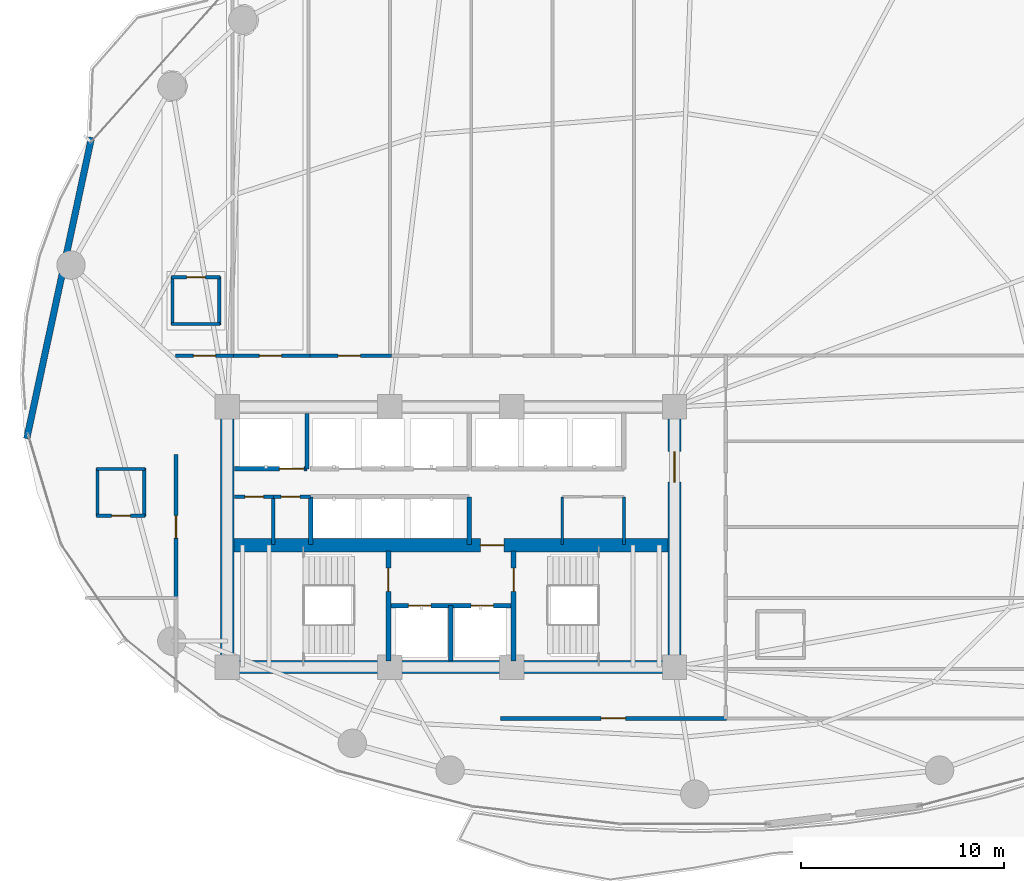
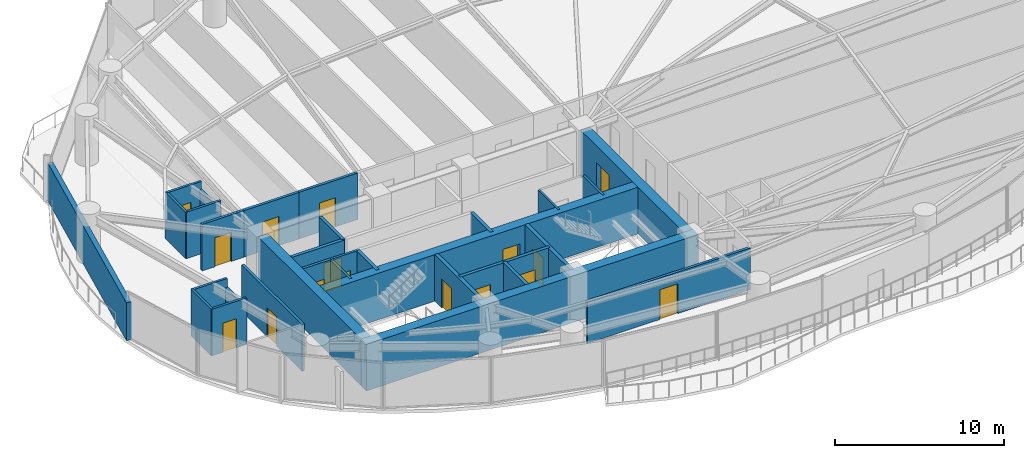
# One storey, part 26 of 31: 31 walls, 16 doors, 16 openings.
"""IFC4 building model written with IfcOpenShell, lengths in metres."""

import ifcopenshell
import ifcopenshell.guid

model = None  # the IFC model being written
_history = None  # IfcOwnerHistory: only IFC2X3 demands one
_inside = {}  # id of a spatial element -> (the spatial element, [elements in it])
_under = {}  # id of a project, library or spatial element -> (it, [spatial elements below it])
_declared = {}  # id of a project -> (the project, [libraries it declares])
_typed = {}  # id of a type object -> (the type object, [elements of that type])
_made_of = {}  # id of a material, layer set ... -> (it, [elements and type objects made of it])


def new_model(schema):
    """Start an empty IFC model of exactly this schema.

    Asked for "IFC4X3", IfcOpenShell would pick the latest addendum, in which some entities
    have other attributes; the version numbers below select the first issue.
    IFC2X3 requires an IfcOwnerHistory on every rooted entity: one is made here for all.
    """
    global model, _history
    if schema == "IFC4X3":
        model = ifcopenshell.file(schema_version=(4, 3, 0, 0))
    else:
        model = ifcopenshell.file(schema=schema)
    _inside.clear()
    _under.clear()
    _declared.clear()
    _typed.clear()
    _made_of.clear()
    _history = None
    if model.schema == "IFC2X3":
        org = make("IfcOrganization", Name="unknown")
        user = make(
            "IfcPersonAndOrganization",
            ThePerson=make("IfcPerson", FamilyName="unknown"),
            TheOrganization=org,
        )
        app = make(
            "IfcApplication",
            ApplicationDeveloper=org,
            Version="unknown",
            ApplicationFullName="unknown",
            ApplicationIdentifier="unknown",
        )
        _history = make(
            "IfcOwnerHistory",
            OwningUser=user,
            OwningApplication=app,
            ChangeAction="ADDED",
            CreationDate=0,
        )
    return model


def make(cls, **values):
    """One entity of the class cls with the attributes given. An attribute that is None is left unset."""
    return model.create_entity(
        cls, **{name: value for name, value in values.items() if value is not None}
    )


def rooted(cls, **values):
    """An entity with a GlobalId (a new one), such as an element, a storey or a relation."""
    return make(cls, GlobalId=ifcopenshell.guid.new(), OwnerHistory=_history, **values)


def si_unit(unit_type, name, prefix=None):
    """IfcSIUnit, for example si_unit("LENGTHUNIT", "METRE", prefix="MILLI")."""
    return make("IfcSIUnit", UnitType=unit_type, Prefix=prefix, Name=name)


def assignment(units):
    """IfcUnitAssignment: the units of a project."""
    return None if units is None else make("IfcUnitAssignment", Units=units)


def point(xyz):
    """IfcCartesianPoint."""
    return None if xyz is None else make("IfcCartesianPoint", Coordinates=xyz)


def direction(xyz):
    """IfcDirection."""
    return None if xyz is None else make("IfcDirection", DirectionRatios=xyz)


def frame(location, z_axis=None, x_axis=None):
    """IfcAxis2Placement3D, a coordinate frame: its origin and axes. An axis left out is left unset."""
    return make(
        "IfcAxis2Placement3D",
        Location=point(location),
        Axis=direction(z_axis),
        RefDirection=direction(x_axis),
    )


def frame_2d(location, x_axis=None):
    """IfcAxis2Placement2D, a coordinate frame in the plane: its origin and x axis."""
    return make(
        "IfcAxis2Placement2D", Location=point(location), RefDirection=direction(x_axis)
    )


def origin():
    """The frame at (0, 0, 0) with its axes left unset."""
    return frame((0.0, 0.0, 0.0))


def place(relative_to, where):
    """IfcLocalPlacement: puts the frame where relative to a parent placement (None: the world)."""
    return make(
        "IfcLocalPlacement", PlacementRelTo=relative_to, RelativePlacement=where
    )


def context(
    kind, dimensions, precision=None, world=None, true_north=None, identifier=None
):
    """IfcGeometricRepresentationContext, for example the 3D "Model" context."""
    return make(
        "IfcGeometricRepresentationContext",
        ContextIdentifier=identifier,
        ContextType=kind,
        CoordinateSpaceDimension=dimensions,
        Precision=precision,
        WorldCoordinateSystem=world,
        TrueNorth=true_north,
    )


def subcontext(parent, identifier, kind, view, scale=None):
    """IfcGeometricRepresentationSubContext, for example "Body" below "Model"."""
    return make(
        "IfcGeometricRepresentationSubContext",
        ContextIdentifier=identifier,
        ContextType=kind,
        ParentContext=parent,
        TargetScale=scale,
        TargetView=view,
    )


def project(units=None, contexts=None):
    """IfcProject with its units and contexts."""
    return rooted(
        "IfcProject",
        Name="project",
        RepresentationContexts=contexts,
        UnitsInContext=assignment(units),
    )


def spatial(cls, under=None, at=None, **own):
    """A site, building, storey or space (cls), placed at a placement, below another one or the project."""
    s = rooted(cls, ObjectPlacement=at, **own)
    if under is not None:
        _under.setdefault(under.id(), (under, []))[1].append(s)
    return s


def profile(cls, at=None, kind="AREA", **sizes):
    """A parametric profile (cls). Its sizes go by their IFC names, for example OverallWidth=200.0."""
    return make(cls, ProfileType=kind, Position=at, **sizes)


def rectangle(**sizes):
    """IfcRectangleProfileDef."""
    return profile("IfcRectangleProfileDef", **sizes)


def extrude(swept, where, along, depth):
    """IfcExtrudedAreaSolid: the profile swept, set in the frame where, extruded along a direction by depth."""
    return make(
        "IfcExtrudedAreaSolid",
        SweptArea=swept,
        Position=where,
        ExtrudedDirection=direction(along),
        Depth=depth,
    )


def shape(context_of_items, identifier, shape_type, items):
    """IfcShapeRepresentation: the items that make up one representation, for example the "Body"."""
    return make(
        "IfcShapeRepresentation",
        ContextOfItems=context_of_items,
        RepresentationIdentifier=identifier,
        RepresentationType=shape_type,
        Items=items,
    )


def material(Name=None, Category=None):
    """IfcMaterial."""
    return make("IfcMaterial", Name=Name, Category=Category)


def layer(
    of_material, thickness, ventilated=None, Name=None, Category=None, Priority=None
):
    """IfcMaterialLayer: one layer of a wall or slab, of a material (None: an air gap)."""
    return make(
        "IfcMaterialLayer",
        Material=of_material,
        LayerThickness=thickness,
        IsVentilated=ventilated,
        Name=Name,
        Category=Category,
        Priority=Priority,
    )


def layer_set(layers, Name=None):
    """IfcMaterialLayerSet."""
    return make("IfcMaterialLayerSet", MaterialLayers=layers, LayerSetName=Name)


def made_of(thing, what):
    """Note that an element or type object is made of a material, layer set ...; save() writes the relation."""
    if what is not None:
        _made_of.setdefault(what.id(), (what, []))[1].append(thing)
    return thing


def type_object(cls, material=None, **own):
    """A type object (cls), such as IfcWallType, which elements share."""
    return made_of(rooted(cls, **own), material)


def element(
    cls,
    number,
    at=None,
    inside=None,
    cuts=None,
    type_object=None,
    material=None,
    context=None,
    identifier="Body",
    shape_type=None,
    held_by="IfcProductDefinitionShape",
    body=None,
    shapes=None,
    **own,
):
    """One element of the class cls, such as IfcWall. Its Tag is "e" and its number.

    at: its placement. inside: the storey or other place that contains it. cuts: it is an
    opening in that element (IfcRelVoidsElement). A single representation is given by context,
    identifier, shape_type and body (its items); several are given by shapes. held_by: the class
    of the entity that holds the representations. save() writes the other relations.
    """
    e = rooted(cls, Tag="e%d" % number, ObjectPlacement=at, **own)
    if body is not None:
        shapes = [shape(context, identifier, shape_type, body)]
    if shapes is not None:
        e.Representation = make(held_by, Representations=shapes)
    if inside is not None:
        _inside.setdefault(inside.id(), (inside, []))[1].append(e)
    if cuts is not None:
        rooted(
            "IfcRelVoidsElement", RelatingBuildingElement=cuts, RelatedOpeningElement=e
        )
    if type_object is not None:
        _typed.setdefault(type_object.id(), (type_object, []))[1].append(e)
    return made_of(e, material)


def fill(opening, filler):
    """IfcRelFillsElement: the door or window that sits in an opening."""
    return rooted(
        "IfcRelFillsElement",
        RelatingOpeningElement=opening,
        RelatedBuildingElement=filler,
    )


def aggregate(whole, parts):
    """IfcRelAggregates: a whole, such as a stair, and the parts it consists of."""
    return rooted("IfcRelAggregates", RelatingObject=whole, RelatedObjects=parts)


def save(model, path):
    """Write the relations noted so far, then the file.

    IfcRelAggregates (storeys below a building ...), IfcRelContainedInSpatialStructure (elements
    in a storey), IfcRelDefinesByType, IfcRelAssociatesMaterial and IfcRelDeclares: one each for
    every whole, place, type object, material and project.
    """
    for whole, parts in _under.values():
        aggregate(whole, parts)
    for where, things in _inside.values():
        rooted(
            "IfcRelContainedInSpatialStructure",
            RelatedElements=things,
            RelatingStructure=where,
        )
    for kind, things in _typed.values():
        rooted("IfcRelDefinesByType", RelatedObjects=things, RelatingType=kind)
    for what, things in _made_of.values():
        rooted("IfcRelAssociatesMaterial", RelatedObjects=things, RelatingMaterial=what)
    for by, libraries in _declared.values():
        rooted("IfcRelDeclares", RelatingContext=by, RelatedDefinitions=libraries)
    model.write(path)


model = new_model("IFC4")

# Units and contexts
model_context = context("Model", 3, precision=1e-05, world=origin(), true_north=direction((0.0, 1.0)))
body_context = subcontext(model_context, "Body", "Model", "MODEL_VIEW")
ifc_project = project(units=[si_unit("LENGTHUNIT", "METRE"), si_unit("AREAUNIT", "SQUARE_METRE"), si_unit("VOLUMEUNIT", "CUBIC_METRE"), si_unit("PLANEANGLEUNIT", "RADIAN"), si_unit("MASSUNIT", "GRAM", prefix="KILO")], contexts=[model_context])

# Site, building, storey
site_placement = place(None, origin())
site = spatial("IfcSite", under=ifc_project, at=site_placement, CompositionType="ELEMENT")
building_placement = place(site_placement, origin())
building = spatial("IfcBuilding", under=site, at=building_placement, Name="Kazevale Care Tower and Concert Hall", CompositionType="ELEMENT")
storey_placement = place(building_placement, frame((0.0, 0.0, 78.0)))
storey = spatial("IfcBuildingStorey", under=building, at=storey_placement, Name="L20", CompositionType="ELEMENT", Elevation=78.0)

# Walls
ifc_material_1 = material(Name="Acoustic Gypsum on Steel Stud", Category="steel")
ifc_layer_1 = layer(ifc_material_1, 0.139892578125)
ifc_layer_set_1 = layer_set([ifc_layer_1], Name="Acoustic Gypsum on Steel Stud")
wall_type_1 = type_object("IfcWallType", Name="Acoustic Care & Suite Partition 140", PredefinedType="PARTITIONING", material=ifc_layer_set_1)
for number, where, z_axis, x_axis, name in (
    (1, (38.47998046875, 29.6201171875, 0.0), (0.0, 0.0, 1.0), (0.0, 1.0, 0.0), "wall:L20:kb_ew"),
    (2, (41.52001953125, 29.6201171875, 0.0), (0.0, 0.0, 1.0), (0.0, 1.0, 0.0), "wall:L20:kb_ee"),
):
    element("IfcWall", number, at=place(storey_placement, frame(where, z_axis=z_axis, x_axis=x_axis)), inside=storey, type_object=wall_type_1, Name=name, PredefinedType="PARTITIONING", context=body_context, shape_type="SweptSolid", body=[
        extrude(rectangle(XDim=2.35986328125, YDim=0.139892578125, at=frame_2d((1.179931640625, 0.0))), origin(), (0.0, 0.0, 1.0), 3.360107421875),
    ])
ifc_material_2 = material(Name="Concrete C70", Category="concrete")
ifc_layer_2 = layer(ifc_material_2, 0.64990234375)
ifc_layer_set_2 = layer_set([ifc_layer_2], Name="Concrete C70")
wall_type_2 = type_object("IfcWallType", Name="Core Shear Wall 650 C70", PredefinedType="SHEAR", material=ifc_layer_set_2)
wall_1_placement = place(storey_placement, frame((21.675048828125, 23.60009765625, 0.0), z_axis=(0.0, 0.0, 1.0), x_axis=(1.0, 0.0, 0.0)))
element("IfcWall", 3, at=wall_1_placement, inside=storey, type_object=wall_type_2, Name="wall:L20:core:S", PredefinedType="SHEAR", context=body_context, shape_type="SweptSolid", body=[
    extrude(rectangle(XDim=22.64990234375, YDim=0.64990234375, at=frame_2d((11.324951171875, 0.0))), origin(), (0.0, 0.0, 1.0), 3.360107421875),
])
wall_2_placement = place(storey_placement, frame((22.0, 23.925048828125, 0.0), z_axis=(0.0, 0.0, 1.0), x_axis=(0.0, 1.0, 0.0)))
element("IfcWall", 4, at=wall_2_placement, inside=storey, type_object=wall_type_2, Name="wall:L20:core:W", PredefinedType="SHEAR", context=body_context, shape_type="SweptSolid", body=[
    extrude(rectangle(XDim=12.14990234375, YDim=0.64990234375, at=frame_2d((6.074951171875, 0.0))), origin(), (0.0, 0.0, 1.0), 3.360107421875),
])

# Wall, opening, door
wall_3_placement = place(storey_placement, frame((44.0, 23.925048828125, 0.0), z_axis=(0.0, 0.0, 1.0), x_axis=(0.0, 1.0, 0.0)))
wall_3 = element("IfcWall", 5, at=wall_3_placement, inside=storey, type_object=wall_type_2, Name="wall:L20:core:E", PredefinedType="SHEAR", context=body_context, shape_type="SweptSolid", body=[
    extrude(rectangle(XDim=12.14990234375, YDim=0.64990234375, at=frame_2d((6.074951171875, 0.0))), origin(), (0.0, 0.0, 1.0), 3.360107421875),
])
opening_1_placement = place(wall_3_placement, frame((8.77490234375, 0.0, 0.0)))
opening_1 = element("IfcOpeningElement", 6, at=opening_1_placement, cuts=wall_3, Name="Opening FD-60D", PredefinedType="OPENING", context=body_context, shape_type="SweptSolid", body=[
    extrude(rectangle(XDim=1.5, YDim=2.14990234375, at=frame_2d((0.75, 1.074951171875))), frame((0.0, 0.3349609375, 0.0), z_axis=(0.0, -1.0, 0.0), x_axis=(1.0, 0.0, 0.0)), (0.0, 0.0, 1.0), 0.669921875),
])
ifc_material_3 = material(Name="Oak Timber Fire Leaf", Category="wood")
door_type_1 = type_object("IfcDoorType", Name="Double Lobby & Auditorium Fire Door 1500x2150", OperationType="NOTDEFINED", PredefinedType="DOOR", material=ifc_material_3)
door_1_placement = place(opening_1_placement, origin())
door_1 = element("IfcDoor", 7, at=door_1_placement, inside=storey, type_object=door_type_1, Name="door:L20:core_east_out", OperationType="DOUBLE_DOOR_SINGLE_SWING", OverallHeight=2.14990234375, OverallWidth=1.5, PredefinedType="DOOR", context=body_context, shape_type="SweptSolid", body=[
    extrude(rectangle(XDim=1.5, YDim=2.14990234375, at=frame_2d((0.75, 1.074951171875))), frame((0.0, 0.02490234375, 0.0), z_axis=(0.0, -1.0, 0.0), x_axis=(1.0, 0.0, 0.0)), (0.0, 0.0, 1.0), 0.050048828125),
])
fill(opening_1, door_1)

wall_4_placement = place(storey_placement, frame((22.324951171875, 29.60009765625, 0.0), z_axis=(0.0, 0.0, 1.0), x_axis=(1.0, 0.0, 0.0)))
wall_4 = element("IfcWall", 8, at=wall_4_placement, inside=storey, type_object=wall_type_2, Name="wall:L20:core:M", PredefinedType="SHEAR", context=body_context, shape_type="SweptSolid", body=[
    extrude(rectangle(XDim=21.35009765625, YDim=0.64990234375, at=frame_2d((10.675048828125, 0.0))), origin(), (0.0, 0.0, 1.0), 3.360107421875),
])
opening_2_placement = place(wall_4_placement, frame((12.125, 0.0, 0.0)))
opening_2 = element("IfcOpeningElement", 9, at=opening_2_placement, cuts=wall_4, Name="Opening FD-90", PredefinedType="OPENING", context=body_context, shape_type="SweptSolid", body=[
    extrude(rectangle(XDim=1.14990234375, YDim=2.10009765625, at=frame_2d((0.574951171875, 1.050048828125))), frame((0.0, 0.3349609375, 0.0), z_axis=(0.0, -1.0, 0.0), x_axis=(1.0, 0.0, 0.0)), (0.0, 0.0, 1.0), 0.669921875),
])
ifc_material_4 = material(Name="Steel ASTM A572 Gr 50", Category="steel")
door_type_2 = type_object("IfcDoorType", Name="Pressurized Stair & Lobby Fire Door 1150x2100", OperationType="NOTDEFINED", PredefinedType="DOOR", material=ifc_material_4)
door_2_placement = place(opening_2_placement, origin())
door_2 = element("IfcDoor", 10, at=door_2_placement, inside=storey, type_object=door_type_2, Name="door:L20:ff_to_pax", OperationType="SINGLE_SWING_LEFT", OverallHeight=2.10009765625, OverallWidth=1.14990234375, PredefinedType="DOOR", context=body_context, shape_type="SweptSolid", body=[
    extrude(rectangle(XDim=1.14990234375, YDim=2.10009765625, at=frame_2d((0.574951171875, 1.050048828125))), frame((0.0, 0.02490234375, 0.0), z_axis=(0.0, -1.0, 0.0), x_axis=(1.0, 0.0, 0.0)), (0.0, 0.0, 1.0), 0.050048828125),
])
fill(opening_2, door_2)

# Wall, openings, doors
ifc_material_5 = material(Name="Concrete C40", Category="concrete")
ifc_layer_3 = layer(ifc_material_5, 0.219970703125)
ifc_layer_set_3 = layer_set([ifc_layer_3], Name="Concrete C40")
wall_type_3 = type_object("IfcWallType", Name="Elevator Hoistway Shaft Wall 220", PredefinedType="SOLIDWALL", material=ifc_layer_set_3)
wall_5_placement = place(storey_placement, frame((29.919921875, 26.6201171875, 0.0), z_axis=(0.0, 0.0, 1.0), x_axis=(1.0, 0.0, 0.0)))
wall_5 = element("IfcWall", 11, at=wall_5_placement, inside=storey, type_object=wall_type_3, Name="wall:L20:c_ffl_n", PredefinedType="SOLIDWALL", context=body_context, shape_type="SweptSolid", body=[
    extrude(rectangle(XDim=6.16015625, YDim=0.219970703125, at=frame_2d((3.080078125, 0.0))), origin(), (0.0, 0.0, 1.0), 3.360107421875),
])
opening_3_placement = place(wall_5_placement, frame((0.989990234375, 0.0, 0.0)))
opening_3 = element("IfcOpeningElement", 12, at=opening_3_placement, cuts=wall_5, Name="Opening LD-FF", PredefinedType="OPENING", context=body_context, shape_type="SweptSolid", body=[
    extrude(rectangle(XDim=1.10009765625, YDim=2.10009765625, at=frame_2d((0.550048828125, 1.050048828125))), frame((0.0, 0.119873046875, 0.0), z_axis=(0.0, -1.0, 0.0), x_axis=(1.0, 0.0, 0.0)), (0.0, 0.0, 1.0), 0.239990234375),
])
opening_4_placement = place(wall_5_placement, frame((4.070068359375, 0.0, 0.0)))
opening_4 = element("IfcOpeningElement", 13, at=opening_4_placement, cuts=wall_5, Name="Opening LD-FF", PredefinedType="OPENING", context=body_context, shape_type="SweptSolid", body=[
    extrude(rectangle(XDim=1.10009765625, YDim=2.10009765625, at=frame_2d((0.550048828125, 1.050048828125))), frame((0.0, 0.119873046875, 0.0), z_axis=(0.0, -1.0, 0.0), x_axis=(1.0, 0.0, 0.0)), (0.0, 0.0, 1.0), 0.239990234375),
])
ifc_material_6 = material(Name="Stainless Steel 316", Category="steel")
door_type_3 = type_object("IfcDoorType", Name="Emergency Lift Sliding Landing Door 1100x2100", OperationType="NOTDEFINED", PredefinedType="DOOR", material=ifc_material_6)
door_3_placement = place(opening_3_placement, origin())
door_3 = element("IfcDoor", 14, at=door_3_placement, inside=storey, type_object=door_type_3, Name="door:L20:ld_ffl1", OperationType="SLIDING_TO_LEFT", OverallHeight=2.10009765625, OverallWidth=1.10009765625, PredefinedType="DOOR", context=body_context, shape_type="SweptSolid", body=[
    extrude(rectangle(XDim=1.10009765625, YDim=2.10009765625, at=frame_2d((0.550048828125, 1.050048828125))), frame((0.0, 0.02490234375, 0.0), z_axis=(0.0, -1.0, 0.0), x_axis=(1.0, 0.0, 0.0)), (0.0, 0.0, 1.0), 0.050048828125),
])
fill(opening_3, door_3)
door_4_placement = place(opening_4_placement, origin())
door_4 = element("IfcDoor", 15, at=door_4_placement, inside=storey, type_object=door_type_3, Name="door:L20:ld_ffl2", OperationType="SLIDING_TO_RIGHT", OverallHeight=2.10009765625, OverallWidth=1.10009765625, PredefinedType="DOOR", context=body_context, shape_type="SweptSolid", body=[
    extrude(rectangle(XDim=1.10009765625, YDim=2.10009765625, at=frame_2d((0.550048828125, 1.050048828125))), frame((0.0, 0.02490234375, 0.0), z_axis=(0.0, -1.0, 0.0), x_axis=(1.0, 0.0, 0.0)), (0.0, 0.0, 1.0), 0.050048828125),
])
fill(opening_4, door_4)

# Walls
wall_6_placement = place(storey_placement, frame((33.0, 23.89990234375, 0.0), z_axis=(0.0, 0.0, 1.0), x_axis=(0.0, 1.0, 0.0)))
element("IfcWall", 16, at=wall_6_placement, inside=storey, type_object=wall_type_3, Name="wall:L20:c_ffl_m", PredefinedType="SOLIDWALL", context=body_context, shape_type="SweptSolid", body=[
    extrude(rectangle(XDim=2.72021484375, YDim=0.219970703125, at=frame_2d((1.360107421875, 0.0))), origin(), (0.0, 0.0, 1.0), 3.360107421875),
])
wall_7_placement = place(storey_placement, frame((25.919921875, 33.35009765625, 0.0), z_axis=(0.0, 0.0, 1.0), x_axis=(0.0, 1.0, 0.0)))
element("IfcWall", 17, at=wall_7_placement, inside=storey, type_object=wall_type_3, Name="wall:L20:c_svl_e", PredefinedType="SOLIDWALL", context=body_context, shape_type="SweptSolid", body=[
    extrude(rectangle(XDim=2.72998046875, YDim=0.219970703125, at=frame_2d((1.364990234375, 0.0))), origin(), (0.0, 0.0, 1.0), 3.360107421875),
])

# Wall, opening, door
wall_8_placement = place(storey_placement, frame((22.35009765625, 33.35009765625, 0.0), z_axis=(0.0, 0.0, 1.0), x_axis=(1.0, 0.0, 0.0)))
wall_8 = element("IfcWall", 18, at=wall_8_placement, inside=storey, type_object=wall_type_3, Name="wall:L20:c_svl_s", PredefinedType="SOLIDWALL", context=body_context, shape_type="SweptSolid", body=[
    extrude(rectangle(XDim=3.56982421875, YDim=0.219970703125, at=frame_2d((1.784912109375, 0.0))), origin(), (0.0, 0.0, 1.0), 3.360107421875),
])
opening_5_placement = place(wall_8_placement, frame((2.212890625, 0.0, 0.0)))
opening_5 = element("IfcOpeningElement", 19, at=opening_5_placement, cuts=wall_8, Name="Opening LD-SV", PredefinedType="OPENING", context=body_context, shape_type="SweptSolid", body=[
    extrude(rectangle(XDim=1.199951171875, YDim=2.10009765625, at=frame_2d((0.60009765625, 1.050048828125))), frame((0.0, 0.119873046875, 0.0), z_axis=(0.0, -1.0, 0.0), x_axis=(1.0, 0.0, 0.0)), (0.0, 0.0, 1.0), 0.239990234375),
])
door_type_4 = type_object("IfcDoorType", Name="Service Lift Sliding Landing Door 1200x2100", OperationType="NOTDEFINED", PredefinedType="DOOR", material=ifc_material_6)
door_5_placement = place(opening_5_placement, origin())
door_5 = element("IfcDoor", 20, at=door_5_placement, inside=storey, type_object=door_type_4, Name="door:L20:ld_svl1", OperationType="SLIDING_TO_LEFT", OverallHeight=2.10009765625, OverallWidth=1.199951171875, PredefinedType="DOOR", context=body_context, shape_type="SweptSolid", body=[
    extrude(rectangle(XDim=1.199951171875, YDim=2.10009765625, at=frame_2d((0.60009765625, 1.050048828125))), frame((0.0, 0.02490234375, 0.0), z_axis=(0.0, -1.0, 0.0), x_axis=(1.0, 0.0, 0.0)), (0.0, 0.0, 1.0), 0.050048828125),
])
fill(opening_5, door_5)

# Walls
for number, where, z_axis, x_axis, name in (
    (21, (26.10009765625, 29.6201171875, 0.0), (0.0, 0.0, 1.0), (0.0, 1.0, 0.0), "wall:L20:c_ph_w"),
    (22, (33.89990234375, 29.6201171875, 0.0), (0.0, 0.0, 1.0), (0.0, 1.0, 0.0), "wall:L20:c_ph_e"),
):
    element("IfcWall", number, at=place(storey_placement, frame(where, z_axis=z_axis, x_axis=x_axis)), inside=storey, type_object=wall_type_3, Name=name, PredefinedType="SOLIDWALL", context=body_context, shape_type="SweptSolid", body=[
        extrude(rectangle(XDim=2.35986328125, YDim=0.219970703125, at=frame_2d((1.179931640625, 0.0))), origin(), (0.0, 0.0, 1.0), 3.360107421875),
    ])

# Wall, opening, door
ifc_material_7 = material(Name="Concrete C40 and Acoustic Gypsum", Category="concrete")
ifc_layer_4 = layer(ifc_material_7, 0.179931640625)
ifc_layer_set_4 = layer_set([ifc_layer_4], Name="Concrete C40 and Acoustic Gypsum")
wall_type_4 = type_object("IfcWallType", Name="Fire-Rated Corridor & Party Wall 180", PredefinedType="PARTITIONING", material=ifc_layer_set_4)
wall_9_placement = place(storey_placement, frame((22.35009765625, 31.97998046875, 0.0), z_axis=(0.0, 0.0, 1.0), x_axis=(1.0, 0.0, 0.0)))
wall_9 = element("IfcWall", 23, at=wall_9_placement, inside=storey, type_object=wall_type_4, Name="wall:L20:kb_wn0", PredefinedType="PARTITIONING", context=body_context, shape_type="SweptSolid", body=[
    extrude(rectangle(XDim=1.909912109375, YDim=0.179931640625, at=frame_2d((0.955078125, 0.0))), origin(), (0.0, 0.0, 1.0), 3.360107421875),
])
opening_6_placement = place(wall_9_placement, frame((0.514892578125, 0.0, 0.0)))
opening_6 = element("IfcOpeningElement", 24, at=opening_6_placement, cuts=wall_9, Name="Opening ID-900", PredefinedType="OPENING", context=body_context, shape_type="SweptSolid", body=[
    extrude(rectangle(XDim=0.919921875, YDim=2.10009765625, at=frame_2d((0.4599609375, 1.050048828125))), frame((0.0, 0.099853515625, 0.0), z_axis=(0.0, -1.0, 0.0), x_axis=(1.0, 0.0, 0.0)), (0.0, 0.0, 1.0), 0.199951171875),
])
door_type_5 = type_object("IfcDoorType", Name="Bathroom & Service Door 920x2100", OperationType="NOTDEFINED", PredefinedType="DOOR", material=ifc_material_3)
door_6_placement = place(opening_6_placement, origin())
door_6 = element("IfcDoor", 25, at=door_6_placement, inside=storey, type_object=door_type_5, Name="door:L20:d_kbw1", OperationType="SINGLE_SWING_LEFT", OverallHeight=2.10009765625, OverallWidth=0.919921875, PredefinedType="DOOR", context=body_context, shape_type="SweptSolid", body=[
    extrude(rectangle(XDim=0.919921875, YDim=2.10009765625, at=frame_2d((0.4599609375, 1.050048828125))), frame((0.0, 0.02490234375, 0.0), z_axis=(0.0, -1.0, 0.0), x_axis=(1.0, 0.0, 0.0)), (0.0, 0.0, 1.0), 0.050048828125),
])
fill(opening_6, door_6)

wall_10_placement = place(storey_placement, frame((19.445068359375, 38.925048828125, 0.0), z_axis=(0.0, 0.0, 1.0), x_axis=(1.0, 0.0, 0.0)))
wall_10 = element("IfcWall", 26, at=wall_10_placement, inside=storey, type_object=wall_type_4, Name="wall:L20:auto_001", PredefinedType="PARTITIONING", context=body_context, shape_type="SweptSolid", body=[
    extrude(rectangle(XDim=2.869873046875, YDim=0.179931640625, at=frame_2d((1.43505859375, 0.0))), origin(), (0.0, 0.0, 1.0), 3.360107421875),
])
opening_7_placement = place(wall_10_placement, frame((0.885009765625, 0.0, 0.0)))
opening_7 = element("IfcOpeningElement", 27, at=opening_7_placement, cuts=wall_10, Name="Opening ID-1100", PredefinedType="OPENING", context=body_context, shape_type="SweptSolid", body=[
    extrude(rectangle(XDim=1.10009765625, YDim=2.10009765625, at=frame_2d((0.550048828125, 1.050048828125))), frame((0.0, 0.099853515625, 0.0), z_axis=(0.0, -1.0, 0.0), x_axis=(1.0, 0.0, 0.0)), (0.0, 0.0, 1.0), 0.199951171875),
])
door_type_6 = type_object("IfcDoorType", Name="Care Bedroom Accessible Door 1100x2100", OperationType="NOTDEFINED", PredefinedType="DOOR", material=ifc_material_3)
door_7_placement = place(opening_7_placement, origin())
door_7 = element("IfcDoor", 28, at=door_7_placement, inside=storey, type_object=door_type_6, Name="door:L20:ad_001", OperationType="SINGLE_SWING_LEFT", OverallHeight=2.10009765625, OverallWidth=1.10009765625, PredefinedType="DOOR", context=body_context, shape_type="SweptSolid", body=[
    extrude(rectangle(XDim=1.10009765625, YDim=2.10009765625, at=frame_2d((0.550048828125, 1.050048828125))), frame((0.0, 0.02490234375, 0.0), z_axis=(0.0, -1.0, 0.0), x_axis=(1.0, 0.0, 0.0)), (0.0, 0.0, 1.0), 0.050048828125),
])
fill(opening_7, door_7)

wall_11_placement = place(storey_placement, frame((22.18505859375, 38.925048828125, 0.0), z_axis=(0.0, 0.0, 1.0), x_axis=(1.0, 0.0, 0.0)))
wall_11 = element("IfcWall", 29, at=wall_11_placement, inside=storey, type_object=wall_type_4, Name="wall:L20:auto_002", PredefinedType="PARTITIONING", context=body_context, shape_type="SweptSolid", body=[
    extrude(rectangle(XDim=3.8798828125, YDim=0.179931640625, at=frame_2d((1.93994140625, 0.0))), origin(), (0.0, 0.0, 1.0), 3.360107421875),
])
opening_8_placement = place(wall_11_placement, frame((1.389892578125, 0.0, 0.0)))
opening_8 = element("IfcOpeningElement", 30, at=opening_8_placement, cuts=wall_11, Name="Opening ID-1100", PredefinedType="OPENING", context=body_context, shape_type="SweptSolid", body=[
    extrude(rectangle(XDim=1.10009765625, YDim=2.10009765625, at=frame_2d((0.550048828125, 1.050048828125))), frame((0.0, 0.099853515625, 0.0), z_axis=(0.0, -1.0, 0.0), x_axis=(1.0, 0.0, 0.0)), (0.0, 0.0, 1.0), 0.199951171875),
])
door_8_placement = place(opening_8_placement, origin())
door_8 = element("IfcDoor", 31, at=door_8_placement, inside=storey, type_object=door_type_6, Name="door:L20:ad_002", OperationType="SINGLE_SWING_LEFT", OverallHeight=2.10009765625, OverallWidth=1.10009765625, PredefinedType="DOOR", context=body_context, shape_type="SweptSolid", body=[
    extrude(rectangle(XDim=1.10009765625, YDim=2.10009765625, at=frame_2d((0.550048828125, 1.050048828125))), frame((0.0, 0.02490234375, 0.0), z_axis=(0.0, -1.0, 0.0), x_axis=(1.0, 0.0, 0.0)), (0.0, 0.0, 1.0), 0.050048828125),
])
fill(opening_8, door_8)

wall_12_placement = place(storey_placement, frame((25.93505859375, 38.925048828125, 0.0), z_axis=(0.0, 0.0, 1.0), x_axis=(1.0, 0.0, 0.0)))
wall_12 = element("IfcWall", 32, at=wall_12_placement, inside=storey, type_object=wall_type_4, Name="wall:L20:auto_003", PredefinedType="PARTITIONING", context=body_context, shape_type="SweptSolid", body=[
    extrude(rectangle(XDim=4.1298828125, YDim=0.179931640625, at=frame_2d((2.06494140625, 0.0))), origin(), (0.0, 0.0, 1.0), 3.360107421875),
])
opening_9_placement = place(wall_12_placement, frame((1.514892578125, 0.0, 0.0)))
opening_9 = element("IfcOpeningElement", 33, at=opening_9_placement, cuts=wall_12, Name="Opening ID-1100", PredefinedType="OPENING", context=body_context, shape_type="SweptSolid", body=[
    extrude(rectangle(XDim=1.10009765625, YDim=2.10009765625, at=frame_2d((0.550048828125, 1.050048828125))), frame((0.0, 0.099853515625, 0.0), z_axis=(0.0, -1.0, 0.0), x_axis=(1.0, 0.0, 0.0)), (0.0, 0.0, 1.0), 0.199951171875),
])
door_9_placement = place(opening_9_placement, origin())
door_9 = element("IfcDoor", 34, at=door_9_placement, inside=storey, type_object=door_type_6, Name="door:L20:ad_003", OperationType="SINGLE_SWING_LEFT", OverallHeight=2.10009765625, OverallWidth=1.10009765625, PredefinedType="DOOR", context=body_context, shape_type="SweptSolid", body=[
    extrude(rectangle(XDim=1.10009765625, YDim=2.10009765625, at=frame_2d((0.550048828125, 1.050048828125))), frame((0.0, 0.02490234375, 0.0), z_axis=(0.0, -1.0, 0.0), x_axis=(1.0, 0.0, 0.0)), (0.0, 0.0, 1.0), 0.050048828125),
])
fill(opening_9, door_9)

wall_13_placement = place(storey_placement, frame((46.554931640625, 21.074951171875, 0.0), z_axis=(0.0, 0.0, 1.0), x_axis=(-1.0, 0.0, 0.0)))
wall_13 = element("IfcWall", 35, at=wall_13_placement, inside=storey, type_object=wall_type_4, Name="wall:L20:auto_013", PredefinedType="PARTITIONING", context=body_context, shape_type="SweptSolid", body=[
    extrude(rectangle(XDim=11.119873046875, YDim=0.179931640625, at=frame_2d((5.56005859375, 0.0))), origin(), (0.0, 0.0, 1.0), 2.99609375),
])
opening_10_placement = place(wall_13_placement, frame((4.9599609375, 0.0, 0.0)))
opening_10 = element("IfcOpeningElement", 36, at=opening_10_placement, cuts=wall_13, Name="Opening ID-1200", PredefinedType="OPENING", context=body_context, shape_type="SweptSolid", body=[
    extrude(rectangle(XDim=1.199951171875, YDim=2.14990234375, at=frame_2d((0.60009765625, 1.074951171875))), frame((0.0, 0.099853515625, 0.0), z_axis=(0.0, -1.0, 0.0), x_axis=(1.0, 0.0, 0.0)), (0.0, 0.0, 1.0), 0.199951171875),
])
door_type_7 = type_object("IfcDoorType", Name="Clinical & Therapy Door 1200x2150", OperationType="NOTDEFINED", PredefinedType="DOOR", material=ifc_material_3)
door_10_placement = place(opening_10_placement, origin())
door_10 = element("IfcDoor", 37, at=door_10_placement, inside=storey, type_object=door_type_7, Name="door:L20:ad_013", OperationType="SINGLE_SWING_LEFT", OverallHeight=2.14990234375, OverallWidth=1.199951171875, PredefinedType="DOOR", context=body_context, shape_type="SweptSolid", body=[
    extrude(rectangle(XDim=1.199951171875, YDim=2.14990234375, at=frame_2d((0.60009765625, 1.074951171875))), frame((0.0, 0.02490234375, 0.0), z_axis=(0.0, -1.0, 0.0), x_axis=(1.0, 0.0, 0.0)), (0.0, 0.0, 1.0), 0.050048828125),
])
fill(opening_10, door_10)

wall_14_placement = place(storey_placement, frame((19.47509765625, 26.93505859375, 0.0), z_axis=(0.0, 0.0, 1.0), x_axis=(0.0, 1.0, 0.0)))
wall_14 = element("IfcWall", 38, at=wall_14_placement, inside=storey, type_object=wall_type_4, Name="wall:L20:auto_015", PredefinedType="PARTITIONING", context=body_context, shape_type="SweptSolid", body=[
    extrude(rectangle(XDim=7.1298828125, YDim=0.179931640625, at=frame_2d((3.56494140625, 0.0))), origin(), (0.0, 0.0, 1.0), 3.360107421875),
])
opening_11_placement = place(wall_14_placement, frame((3.014892578125, 0.0, 0.0)))
opening_11 = element("IfcOpeningElement", 39, at=opening_11_placement, cuts=wall_14, Name="Opening ID-1100", PredefinedType="OPENING", context=body_context, shape_type="SweptSolid", body=[
    extrude(rectangle(XDim=1.10009765625, YDim=2.10009765625, at=frame_2d((0.550048828125, 1.050048828125))), frame((0.0, 0.099853515625, 0.0), z_axis=(0.0, -1.0, 0.0), x_axis=(1.0, 0.0, 0.0)), (0.0, 0.0, 1.0), 0.199951171875),
])
door_11_placement = place(opening_11_placement, origin())
door_11 = element("IfcDoor", 40, at=door_11_placement, inside=storey, type_object=door_type_6, Name="door:L20:ad_015", OperationType="SINGLE_SWING_LEFT", OverallHeight=2.10009765625, OverallWidth=1.10009765625, PredefinedType="DOOR", context=body_context, shape_type="SweptSolid", body=[
    extrude(rectangle(XDim=1.10009765625, YDim=2.10009765625, at=frame_2d((0.550048828125, 1.050048828125))), frame((0.0, 0.02490234375, 0.0), z_axis=(0.0, -1.0, 0.0), x_axis=(1.0, 0.0, 0.0)), (0.0, 0.0, 1.0), 0.050048828125),
])
fill(opening_11, door_11)

# Wall
ifc_layer_5 = layer(ifc_material_1, 0.159912109375)
ifc_layer_set_5 = layer_set([ifc_layer_5], Name="Acoustic Gypsum on Steel Stud")
wall_type_5 = type_object("IfcWallType", Name="Moisture-Resistant Bathroom Plumbing Wall 160", PredefinedType="PLUMBINGWALL", material=ifc_layer_set_5)
wall_15_placement = place(storey_placement, frame((24.260009765625, 29.6201171875, 0.0), z_axis=(0.0, 0.0, 1.0), x_axis=(0.0, 1.0, 0.0)))
element("IfcWall", 41, at=wall_15_placement, inside=storey, type_object=wall_type_5, Name="wall:L20:kb_we1", PredefinedType="PLUMBINGWALL", context=body_context, shape_type="SweptSolid", body=[
    extrude(rectangle(XDim=2.35986328125, YDim=0.159912109375, at=frame_2d((1.179931640625, 0.0))), origin(), (0.0, 0.0, 1.0), 3.360107421875),
])

# Wall, opening, door
wall_16_placement = place(storey_placement, frame((24.260009765625, 31.97998046875, 0.0), z_axis=(0.0, 0.0, 1.0), x_axis=(1.0, 0.0, 0.0)))
wall_16 = element("IfcWall", 42, at=wall_16_placement, inside=storey, type_object=wall_type_5, Name="wall:L20:kb_wn1", PredefinedType="PLUMBINGWALL", context=body_context, shape_type="SweptSolid", body=[
    extrude(rectangle(XDim=1.840087890625, YDim=0.159912109375, at=frame_2d((0.919921875, 0.0))), origin(), (0.0, 0.0, 1.0), 3.360107421875),
])
opening_12_placement = place(wall_16_placement, frame((0.387939453125, 0.0, 0.0)))
opening_12 = element("IfcOpeningElement", 43, at=opening_12_placement, cuts=wall_16, Name="Opening ID-900", PredefinedType="OPENING", context=body_context, shape_type="SweptSolid", body=[
    extrude(rectangle(XDim=0.919921875, YDim=2.10009765625, at=frame_2d((0.4599609375, 1.050048828125))), frame((0.0, 0.08984375, 0.0), z_axis=(0.0, -1.0, 0.0), x_axis=(1.0, 0.0, 0.0)), (0.0, 0.0, 1.0), 0.179931640625),
])
door_12_placement = place(opening_12_placement, origin())
door_12 = element("IfcDoor", 44, at=door_12_placement, inside=storey, type_object=door_type_5, Name="door:L20:d_kbw2", OperationType="SINGLE_SWING_RIGHT", OverallHeight=2.10009765625, OverallWidth=0.919921875, PredefinedType="DOOR", context=body_context, shape_type="SweptSolid", body=[
    extrude(rectangle(XDim=0.919921875, YDim=2.10009765625, at=frame_2d((0.4599609375, 1.050048828125))), frame((0.0, 0.02490234375, 0.0), z_axis=(0.0, -1.0, 0.0), x_axis=(1.0, 0.0, 0.0)), (0.0, 0.0, 1.0), 0.050048828125),
])
fill(opening_12, door_12)

# Wall
wall_17_placement = place(storey_placement, frame((19.260009765625, 40.47509765625, 0.0), z_axis=(0.0, 0.0, 1.0), x_axis=(1.0, 0.0, 0.0)))
element("IfcWall", 45, at=wall_17_placement, inside=storey, type_object=wall_type_5, Name="wall:L20:nb2a_ens_ws", PredefinedType="PLUMBINGWALL", context=body_context, shape_type="SweptSolid", body=[
    extrude(rectangle(XDim=2.3798828125, YDim=0.159912109375, at=frame_2d((1.18994140625, 0.0))), origin(), (0.0, 0.0, 1.0), 3.360107421875),
])

# Wall, opening, door
wall_18_placement = place(storey_placement, frame((19.260009765625, 42.77490234375, 0.0), z_axis=(0.0, 0.0, 1.0), x_axis=(1.0, 0.0, 0.0)))
wall_18 = element("IfcWall", 46, at=wall_18_placement, inside=storey, type_object=wall_type_5, Name="wall:L20:nb2a_ens_wn", PredefinedType="PLUMBINGWALL", context=body_context, shape_type="SweptSolid", body=[
    extrude(rectangle(XDim=2.3798828125, YDim=0.159912109375, at=frame_2d((1.18994140625, 0.0))), origin(), (0.0, 0.0, 1.0), 3.360107421875),
])
opening_13_placement = place(wall_18_placement, frame((0.739990234375, 0.0, 0.0)))
opening_13 = element("IfcOpeningElement", 47, at=opening_13_placement, cuts=wall_18, Name="Opening ID-900", PredefinedType="OPENING", context=body_context, shape_type="SweptSolid", body=[
    extrude(rectangle(XDim=0.919921875, YDim=2.10009765625, at=frame_2d((0.4599609375, 1.050048828125))), frame((0.0, 0.08984375, 0.0), z_axis=(0.0, -1.0, 0.0), x_axis=(1.0, 0.0, 0.0)), (0.0, 0.0, 1.0), 0.179931640625),
])
door_13_placement = place(opening_13_placement, origin())
door_13 = element("IfcDoor", 48, at=door_13_placement, inside=storey, type_object=door_type_5, Name="door:L20:nb2a_ens_d", OperationType="SINGLE_SWING_RIGHT", OverallHeight=2.10009765625, OverallWidth=0.919921875, PredefinedType="DOOR", context=body_context, shape_type="SweptSolid", body=[
    extrude(rectangle(XDim=0.919921875, YDim=2.10009765625, at=frame_2d((0.4599609375, 1.050048828125))), frame((0.0, 0.02490234375, 0.0), z_axis=(0.0, -1.0, 0.0), x_axis=(1.0, 0.0, 0.0)), (0.0, 0.0, 1.0), 0.050048828125),
])
fill(opening_13, door_13)

# Walls
wall_19_placement = place(storey_placement, frame((19.300048828125, 40.43505859375, 0.0), z_axis=(0.0, 0.0, 1.0), x_axis=(0.0, 1.0, 0.0)))
element("IfcWall", 49, at=wall_19_placement, inside=storey, type_object=wall_type_5, Name="wall:L20:nb2a_ens_ww", PredefinedType="PLUMBINGWALL", context=body_context, shape_type="SweptSolid", body=[
    extrude(rectangle(XDim=2.3798828125, YDim=0.159912109375, at=frame_2d((1.18994140625, 0.0))), origin(), (0.0, 0.0, 1.0), 3.360107421875),
])
wall_20_placement = place(storey_placement, frame((21.60009765625, 40.43505859375, 0.0), z_axis=(0.0, 0.0, 1.0), x_axis=(0.0, 1.0, 0.0)))
element("IfcWall", 50, at=wall_20_placement, inside=storey, type_object=wall_type_5, Name="wall:L20:nb2a_ens_we", PredefinedType="PLUMBINGWALL", context=body_context, shape_type="SweptSolid", body=[
    extrude(rectangle(XDim=2.3798828125, YDim=0.159912109375, at=frame_2d((1.18994140625, 0.0))), origin(), (0.0, 0.0, 1.0), 2.805908203125),
])

# Wall, opening, door
wall_21_placement = place(storey_placement, frame((15.572021484375, 31.050048828125, 0.0), z_axis=(0.0, 0.0, 1.0), x_axis=(1.0, 0.0, 0.0)))
wall_21 = element("IfcWall", 51, at=wall_21_placement, inside=storey, type_object=wall_type_5, Name="wall:L20:wb2_ens_ws", PredefinedType="PLUMBINGWALL", context=body_context, shape_type="SweptSolid", body=[
    extrude(rectangle(XDim=2.3798828125, YDim=0.159912109375, at=frame_2d((1.18994140625, 0.0))), origin(), (0.0, 0.0, 1.0), 3.360107421875),
])
opening_14_placement = place(wall_21_placement, frame((0.739990234375, 0.0, 0.0)))
opening_14 = element("IfcOpeningElement", 52, at=opening_14_placement, cuts=wall_21, Name="Opening ID-900", PredefinedType="OPENING", context=body_context, shape_type="SweptSolid", body=[
    extrude(rectangle(XDim=0.919921875, YDim=2.10009765625, at=frame_2d((0.4599609375, 1.050048828125))), frame((0.0, 0.08984375, 0.0), z_axis=(0.0, -1.0, 0.0), x_axis=(1.0, 0.0, 0.0)), (0.0, 0.0, 1.0), 0.179931640625),
])
door_14_placement = place(opening_14_placement, origin())
door_14 = element("IfcDoor", 53, at=door_14_placement, inside=storey, type_object=door_type_5, Name="door:L20:wb2_ens_d", OperationType="SINGLE_SWING_RIGHT", OverallHeight=2.10009765625, OverallWidth=0.919921875, PredefinedType="DOOR", context=body_context, shape_type="SweptSolid", body=[
    extrude(rectangle(XDim=0.919921875, YDim=2.10009765625, at=frame_2d((0.4599609375, 1.050048828125))), frame((0.0, 0.02490234375, 0.0), z_axis=(0.0, -1.0, 0.0), x_axis=(1.0, 0.0, 0.0)), (0.0, 0.0, 1.0), 0.050048828125),
])
fill(opening_14, door_14)

# Walls
for number, where, z_axis, x_axis, name in (
    (54, (15.572021484375, 33.35009765625, 0.0), (0.0, 0.0, 1.0), (1.0, 0.0, 0.0), "wall:L20:wb2_ens_wn"),
    (55, (15.612060546875, 31.010009765625, 0.0), (0.0, 0.0, 1.0), (0.0, 1.0, 0.0), "wall:L20:wb2_ens_ww"),
):
    element("IfcWall", number, at=place(storey_placement, frame(where, z_axis=z_axis, x_axis=x_axis)), inside=storey, type_object=wall_type_5, Name=name, PredefinedType="PLUMBINGWALL", context=body_context, shape_type="SweptSolid", body=[
        extrude(rectangle(XDim=2.3798828125, YDim=0.159912109375, at=frame_2d((1.18994140625, 0.0))), origin(), (0.0, 0.0, 1.0), 3.360107421875),
    ])
wall_22_placement = place(storey_placement, frame((17.912109375, 31.010009765625, 0.0), z_axis=(0.0, 0.0, 1.0), x_axis=(0.0, 1.0, 0.0)))
element("IfcWall", 56, at=wall_22_placement, inside=storey, type_object=wall_type_5, Name="wall:L20:wb2_ens_we", PredefinedType="PLUMBINGWALL", context=body_context, shape_type="SweptSolid", body=[
    extrude(rectangle(XDim=2.3798828125, YDim=0.159912109375, at=frame_2d((1.18994140625, 0.0))), origin(), (0.0, 0.0, 1.0), 2.738037109375),
])

# Wall, opening, door
ifc_layer_6 = layer(ifc_material_5, 0.25)
ifc_layer_set_6 = layer_set([ifc_layer_6], Name="Concrete C40")
wall_type_6 = type_object("IfcWallType", Name="Pressurized Stair Shaft Wall 250", PredefinedType="SOLIDWALL", material=ifc_layer_set_6)
wall_23_placement = place(storey_placement, frame((29.919921875, 23.89990234375, 0.0), z_axis=(0.0, 0.0, 1.0), x_axis=(0.0, 1.0, 0.0)))
wall_23 = element("IfcWall", 57, at=wall_23_placement, inside=storey, type_object=wall_type_6, Name="wall:L20:c_st1_e", PredefinedType="SOLIDWALL", context=body_context, shape_type="SweptSolid", body=[
    extrude(rectangle(XDim=5.400146484375, YDim=0.25, at=frame_2d((2.7001953125, 0.0))), origin(), (0.0, 0.0, 1.0), 3.360107421875),
])
opening_15_placement = place(wall_23_placement, frame((3.4208984375, 0.0, 0.0)))
opening_15 = element("IfcOpeningElement", 58, at=opening_15_placement, cuts=wall_23, Name="Opening FD-90", PredefinedType="OPENING", context=body_context, shape_type="SweptSolid", body=[
    extrude(rectangle(XDim=1.14990234375, YDim=2.10009765625, at=frame_2d((0.574951171875, 1.050048828125))), frame((0.0, 0.135009765625, 0.0), z_axis=(0.0, -1.0, 0.0), x_axis=(1.0, 0.0, 0.0)), (0.0, 0.0, 1.0), 0.27001953125),
])
door_15_placement = place(opening_15_placement, origin())
door_15 = element("IfcDoor", 59, at=door_15_placement, inside=storey, type_object=door_type_2, Name="door:L20:st1", OperationType="SINGLE_SWING_RIGHT", OverallHeight=2.10009765625, OverallWidth=1.14990234375, PredefinedType="DOOR", context=body_context, shape_type="SweptSolid", body=[
    extrude(rectangle(XDim=1.14990234375, YDim=2.10009765625, at=frame_2d((0.574951171875, 1.050048828125))), frame((0.0, 0.02490234375, 0.0), z_axis=(0.0, -1.0, 0.0), x_axis=(1.0, 0.0, 0.0)), (0.0, 0.0, 1.0), 0.050048828125),
])
fill(opening_15, door_15)

wall_24_placement = place(storey_placement, frame((36.080078125, 23.89990234375, 0.0), z_axis=(0.0, 0.0, 1.0), x_axis=(0.0, 1.0, 0.0)))
wall_24 = element("IfcWall", 60, at=wall_24_placement, inside=storey, type_object=wall_type_6, Name="wall:L20:c_st2_w", PredefinedType="SOLIDWALL", context=body_context, shape_type="SweptSolid", body=[
    extrude(rectangle(XDim=5.400146484375, YDim=0.25, at=frame_2d((2.7001953125, 0.0))), origin(), (0.0, 0.0, 1.0), 3.360107421875),
])
opening_16_placement = place(wall_24_placement, frame((3.4208984375, 0.0, 0.0)))
opening_16 = element("IfcOpeningElement", 61, at=opening_16_placement, cuts=wall_24, Name="Opening FD-90", PredefinedType="OPENING", context=body_context, shape_type="SweptSolid", body=[
    extrude(rectangle(XDim=1.14990234375, YDim=2.10009765625, at=frame_2d((0.574951171875, 1.050048828125))), frame((0.0, 0.135009765625, 0.0), z_axis=(0.0, -1.0, 0.0), x_axis=(1.0, 0.0, 0.0)), (0.0, 0.0, 1.0), 0.27001953125),
])
door_16_placement = place(opening_16_placement, origin())
door_16 = element("IfcDoor", 62, at=door_16_placement, inside=storey, type_object=door_type_2, Name="door:L20:st2", OperationType="SINGLE_SWING_LEFT", OverallHeight=2.10009765625, OverallWidth=1.14990234375, PredefinedType="DOOR", context=body_context, shape_type="SweptSolid", body=[
    extrude(rectangle(XDim=1.14990234375, YDim=2.10009765625, at=frame_2d((0.574951171875, 1.050048828125))), frame((0.0, 0.02490234375, 0.0), z_axis=(0.0, -1.0, 0.0), x_axis=(1.0, 0.0, 0.0)), (0.0, 0.0, 1.0), 0.050048828125),
])
fill(opening_16, door_16)

# Wall
ifc_material_8 = material(Name="Concrete C40 with Honed Limestone Cladding", Category="masonry")
ifc_layer_7 = layer(ifc_material_8, 0.320068359375)
ifc_layer_set_7 = layer_set([ifc_layer_7], Name="Concrete C40 with Honed Limestone Cladding")
wall_type_7 = type_object("IfcWallType", Name="Tower Honed Limestone Spandrel Wall 320", PredefinedType="STANDARD", material=ifc_layer_set_7)
wall_25_placement = place(storey_placement, frame((12.132080078125, 34.8369140625, 0.0), z_axis=(0.0, 0.0, 1.0), x_axis=(0.210310821848, 0.977634572943, 0.0)))
element("IfcWall", 63, at=wall_25_placement, inside=storey, type_object=wall_type_7, Name="wall:cw:L20:f13", PredefinedType="STANDARD", context=body_context, shape_type="SweptSolid", body=[
    extrude(rectangle(XDim=15.1630859375, YDim=0.320068359375, at=frame_2d((7.58154296875, 0.0))), origin(), (0.0, 0.0, 1.0), 2.738037109375),
])

save(model, "model.ifc")
